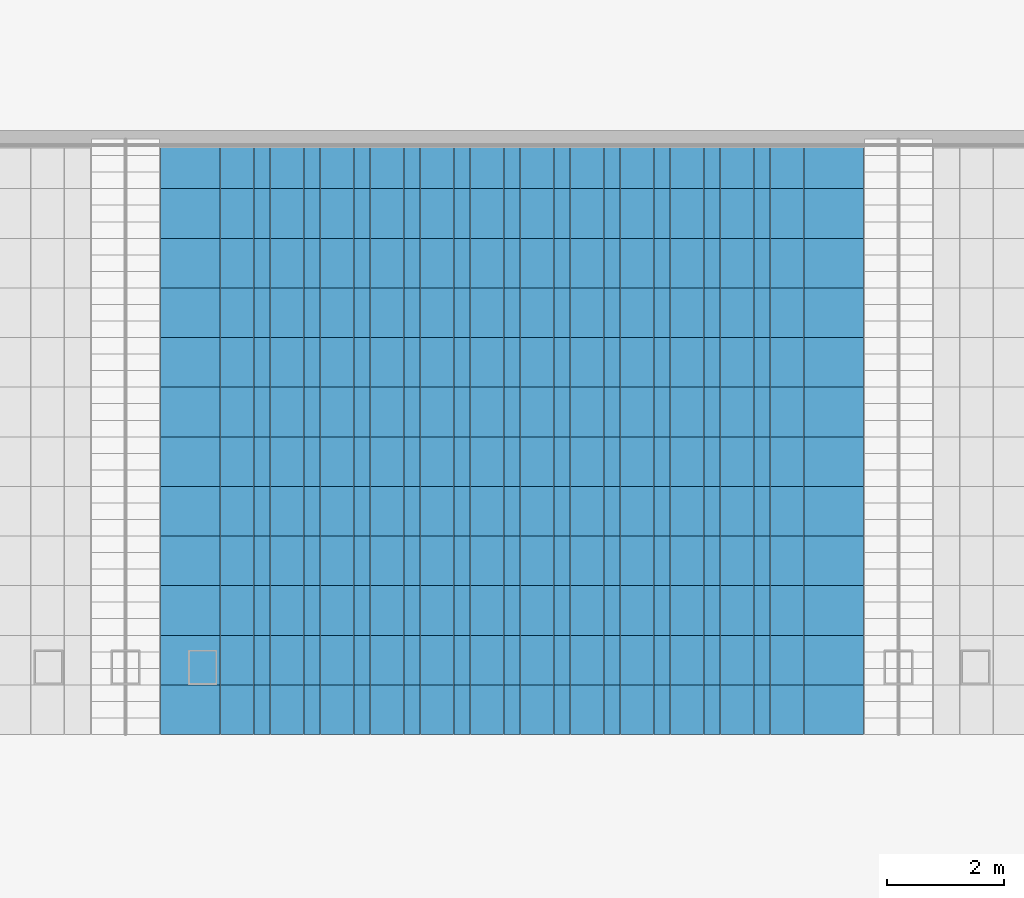
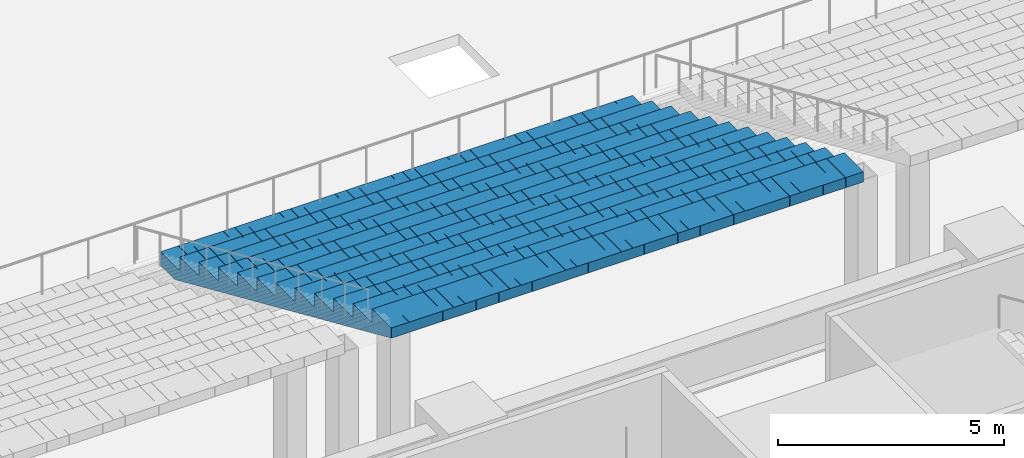
# One storey, part 20 of 62: 1 slab.
"""IFC4 building model written with IfcOpenShell, lengths in metres."""

import ifcopenshell
import ifcopenshell.guid

model = None  # the IFC model being written
_history = None  # IfcOwnerHistory: only IFC2X3 demands one
_inside = {}  # id of a spatial element -> (the spatial element, [elements in it])
_under = {}  # id of a project, library or spatial element -> (it, [spatial elements below it])
_declared = {}  # id of a project -> (the project, [libraries it declares])
_typed = {}  # id of a type object -> (the type object, [elements of that type])
_made_of = {}  # id of a material, layer set ... -> (it, [elements and type objects made of it])


def new_model(schema):
    """Start an empty IFC model of exactly this schema.

    Asked for "IFC4X3", IfcOpenShell would pick the latest addendum, in which some entities
    have other attributes; the version numbers below select the first issue.
    IFC2X3 requires an IfcOwnerHistory on every rooted entity: one is made here for all.
    """
    global model, _history
    if schema == "IFC4X3":
        model = ifcopenshell.file(schema_version=(4, 3, 0, 0))
    else:
        model = ifcopenshell.file(schema=schema)
    _inside.clear()
    _under.clear()
    _declared.clear()
    _typed.clear()
    _made_of.clear()
    _history = None
    if model.schema == "IFC2X3":
        org = make("IfcOrganization", Name="unknown")
        user = make(
            "IfcPersonAndOrganization",
            ThePerson=make("IfcPerson", FamilyName="unknown"),
            TheOrganization=org,
        )
        app = make(
            "IfcApplication",
            ApplicationDeveloper=org,
            Version="unknown",
            ApplicationFullName="unknown",
            ApplicationIdentifier="unknown",
        )
        _history = make(
            "IfcOwnerHistory",
            OwningUser=user,
            OwningApplication=app,
            ChangeAction="ADDED",
            CreationDate=0,
        )
    return model


def make(cls, **values):
    """One entity of the class cls with the attributes given. An attribute that is None is left unset."""
    return model.create_entity(
        cls, **{name: value for name, value in values.items() if value is not None}
    )


def rooted(cls, **values):
    """An entity with a GlobalId (a new one), such as an element, a storey or a relation."""
    return make(cls, GlobalId=ifcopenshell.guid.new(), OwnerHistory=_history, **values)


def si_unit(unit_type, name, prefix=None):
    """IfcSIUnit, for example si_unit("LENGTHUNIT", "METRE", prefix="MILLI")."""
    return make("IfcSIUnit", UnitType=unit_type, Prefix=prefix, Name=name)


def assignment(units):
    """IfcUnitAssignment: the units of a project."""
    return None if units is None else make("IfcUnitAssignment", Units=units)


def point(xyz):
    """IfcCartesianPoint."""
    return None if xyz is None else make("IfcCartesianPoint", Coordinates=xyz)


def direction(xyz):
    """IfcDirection."""
    return None if xyz is None else make("IfcDirection", DirectionRatios=xyz)


def frame(location, z_axis=None, x_axis=None):
    """IfcAxis2Placement3D, a coordinate frame: its origin and axes. An axis left out is left unset."""
    return make(
        "IfcAxis2Placement3D",
        Location=point(location),
        Axis=direction(z_axis),
        RefDirection=direction(x_axis),
    )


def origin():
    """The frame at (0, 0, 0) with its axes left unset."""
    return frame((0.0, 0.0, 0.0))


def place(relative_to, where):
    """IfcLocalPlacement: puts the frame where relative to a parent placement (None: the world)."""
    return make(
        "IfcLocalPlacement", PlacementRelTo=relative_to, RelativePlacement=where
    )


def context(
    kind, dimensions, precision=None, world=None, true_north=None, identifier=None
):
    """IfcGeometricRepresentationContext, for example the 3D "Model" context."""
    return make(
        "IfcGeometricRepresentationContext",
        ContextIdentifier=identifier,
        ContextType=kind,
        CoordinateSpaceDimension=dimensions,
        Precision=precision,
        WorldCoordinateSystem=world,
        TrueNorth=true_north,
    )


def subcontext(parent, identifier, kind, view, scale=None):
    """IfcGeometricRepresentationSubContext, for example "Body" below "Model"."""
    return make(
        "IfcGeometricRepresentationSubContext",
        ContextIdentifier=identifier,
        ContextType=kind,
        ParentContext=parent,
        TargetScale=scale,
        TargetView=view,
    )


def project(units=None, contexts=None):
    """IfcProject with its units and contexts."""
    return rooted(
        "IfcProject",
        Name="project",
        RepresentationContexts=contexts,
        UnitsInContext=assignment(units),
    )


def spatial(cls, under=None, at=None, **own):
    """A site, building, storey or space (cls), placed at a placement, below another one or the project."""
    s = rooted(cls, ObjectPlacement=at, **own)
    if under is not None:
        _under.setdefault(under.id(), (under, []))[1].append(s)
    return s


def polyline(points):
    """IfcPolyline through the points."""
    return make("IfcPolyline", Points=[point(p) for p in points])


def outline(outer, holes=None, kind="AREA"):
    """IfcArbitraryClosedProfileDef: a profile drawn as a closed curve; with holes, ...WithVoids."""
    if holes is None:
        return make("IfcArbitraryClosedProfileDef", ProfileType=kind, OuterCurve=outer)
    return make(
        "IfcArbitraryProfileDefWithVoids",
        ProfileType=kind,
        OuterCurve=outer,
        InnerCurves=holes,
    )


def extrude(swept, where, along, depth):
    """IfcExtrudedAreaSolid: the profile swept, set in the frame where, extruded along a direction by depth."""
    return make(
        "IfcExtrudedAreaSolid",
        SweptArea=swept,
        Position=where,
        ExtrudedDirection=direction(along),
        Depth=depth,
    )


def shape(context_of_items, identifier, shape_type, items):
    """IfcShapeRepresentation: the items that make up one representation, for example the "Body"."""
    return make(
        "IfcShapeRepresentation",
        ContextOfItems=context_of_items,
        RepresentationIdentifier=identifier,
        RepresentationType=shape_type,
        Items=items,
    )


def material(Name=None, Category=None):
    """IfcMaterial."""
    return make("IfcMaterial", Name=Name, Category=Category)


def layer(
    of_material, thickness, ventilated=None, Name=None, Category=None, Priority=None
):
    """IfcMaterialLayer: one layer of a wall or slab, of a material (None: an air gap)."""
    return make(
        "IfcMaterialLayer",
        Material=of_material,
        LayerThickness=thickness,
        IsVentilated=ventilated,
        Name=Name,
        Category=Category,
        Priority=Priority,
    )


def layer_set(layers, Name=None):
    """IfcMaterialLayerSet."""
    return make("IfcMaterialLayerSet", MaterialLayers=layers, LayerSetName=Name)


def made_of(thing, what):
    """Note that an element or type object is made of a material, layer set ...; save() writes the relation."""
    if what is not None:
        _made_of.setdefault(what.id(), (what, []))[1].append(thing)
    return thing


def type_object(cls, material=None, **own):
    """A type object (cls), such as IfcWallType, which elements share."""
    return made_of(rooted(cls, **own), material)


def element(
    cls,
    number,
    at=None,
    inside=None,
    cuts=None,
    type_object=None,
    material=None,
    context=None,
    identifier="Body",
    shape_type=None,
    held_by="IfcProductDefinitionShape",
    body=None,
    shapes=None,
    **own,
):
    """One element of the class cls, such as IfcWall. Its Tag is "e" and its number.

    at: its placement. inside: the storey or other place that contains it. cuts: it is an
    opening in that element (IfcRelVoidsElement). A single representation is given by context,
    identifier, shape_type and body (its items); several are given by shapes. held_by: the class
    of the entity that holds the representations. save() writes the other relations.
    """
    e = rooted(cls, Tag="e%d" % number, ObjectPlacement=at, **own)
    if body is not None:
        shapes = [shape(context, identifier, shape_type, body)]
    if shapes is not None:
        e.Representation = make(held_by, Representations=shapes)
    if inside is not None:
        _inside.setdefault(inside.id(), (inside, []))[1].append(e)
    if cuts is not None:
        rooted(
            "IfcRelVoidsElement", RelatingBuildingElement=cuts, RelatedOpeningElement=e
        )
    if type_object is not None:
        _typed.setdefault(type_object.id(), (type_object, []))[1].append(e)
    return made_of(e, material)


def aggregate(whole, parts):
    """IfcRelAggregates: a whole, such as a stair, and the parts it consists of."""
    return rooted("IfcRelAggregates", RelatingObject=whole, RelatedObjects=parts)


def save(model, path):
    """Write the relations noted so far, then the file.

    IfcRelAggregates (storeys below a building ...), IfcRelContainedInSpatialStructure (elements
    in a storey), IfcRelDefinesByType, IfcRelAssociatesMaterial and IfcRelDeclares: one each for
    every whole, place, type object, material and project.
    """
    for whole, parts in _under.values():
        aggregate(whole, parts)
    for where, things in _inside.values():
        rooted(
            "IfcRelContainedInSpatialStructure",
            RelatedElements=things,
            RelatingStructure=where,
        )
    for kind, things in _typed.values():
        rooted("IfcRelDefinesByType", RelatedObjects=things, RelatingType=kind)
    for what, things in _made_of.values():
        rooted("IfcRelAssociatesMaterial", RelatedObjects=things, RelatingMaterial=what)
    for by, libraries in _declared.values():
        rooted("IfcRelDeclares", RelatingContext=by, RelatedDefinitions=libraries)
    model.write(path)


model = new_model("IFC4")

# Units and contexts
model_context = context("Model", 3, precision=1e-05, world=origin(), true_north=direction((0.0, 1.0)))
body_context = subcontext(model_context, "Body", "Model", "MODEL_VIEW")
ifc_project = project(units=[si_unit("LENGTHUNIT", "METRE"), si_unit("AREAUNIT", "SQUARE_METRE"), si_unit("VOLUMEUNIT", "CUBIC_METRE"), si_unit("PLANEANGLEUNIT", "RADIAN"), si_unit("MASSUNIT", "GRAM", prefix="KILO")], contexts=[model_context])

# Site, building, storey
site_placement = place(None, origin())
site = spatial("IfcSite", under=ifc_project, at=site_placement, CompositionType="ELEMENT")
building_placement = place(site_placement, origin())
building = spatial("IfcBuilding", under=site, at=building_placement, Name="Corbelhall Arena Tower", CompositionType="ELEMENT")
storey_placement = place(building_placement, frame((0.0, 0.0, 12.0)))
storey = spatial("IfcBuildingStorey", under=building, at=storey_placement, Name="L01", CompositionType="ELEMENT", Elevation=12.0)

# Slab
ifc_material = material(Name="Precast concrete C40/50", Category="concrete")
ifc_layer = layer(ifc_material, 0.25)
ifc_layer_set = layer_set([ifc_layer], Name="AR-TIER-RAKED")
slab_type = type_object("IfcSlabType", Name="AR-TIER-RAKED", PredefinedType="FLOOR", material=ifc_layer_set)
slab_placement = place(storey_placement, frame((13.239990234375, -15.14990234375, 2.125), z_axis=(0.0, 0.0, 1.0), x_axis=(0.0, -1.0, 0.0)))
element("IfcSlab", 1, at=slab_placement, inside=storey, type_object=slab_type, Name="Tier section LSB", PredefinedType="FLOOR", context=body_context, shape_type="SweptSolid", body=[
    extrude(outline(polyline([(0.0, 0.0), (0.0, 0.375), (0.85009765625, 0.375), (0.85009765625, 0.75), (1.699951171875, 0.75), (1.699951171875, 1.125), (2.550048828125, 1.125), (2.550048828125, 1.5), (3.39990234375, 1.5), (3.39990234375, 1.875), (4.25, 1.875), (4.25, 2.25), (5.10009765625, 2.25), (5.10009765625, 2.625), (5.949951171875, 2.625), (5.949951171875, 3.0), (6.800048828125, 3.0), (6.800048828125, 3.375), (7.64990234375, 3.375), (7.64990234375, 3.75), (8.5, 3.75), (8.5, 4.125), (9.35009765625, 4.125), (9.35009765625, 4.5), (10.199951171875, 4.5), (10.199951171875, 4.875), (10.199951171875, 4.226806640625), (0.619384765625, 0.0), (0.0, 0.0)])), frame((0.0, 6.02001953125, 0.0), z_axis=(0.0, -1.0, 0.0), x_axis=(1.0, 0.0, 0.0)), (0.0, 0.0, 1.0), 0.449951171875),
    extrude(outline(polyline([(0.0, 0.0), (0.0, 0.375), (0.85009765625, 0.375), (0.85009765625, 0.75), (1.699951171875, 0.75), (1.699951171875, 1.125), (2.550048828125, 1.125), (2.550048828125, 1.5), (3.39990234375, 1.5), (3.39990234375, 1.875), (4.25, 1.875), (4.25, 2.25), (5.10009765625, 2.25), (5.10009765625, 2.625), (5.949951171875, 2.625), (5.949951171875, 3.0), (6.800048828125, 3.0), (6.800048828125, 3.375), (7.64990234375, 3.375), (7.64990234375, 3.75), (8.5, 3.75), (8.5, 4.125), (9.35009765625, 4.125), (9.35009765625, 4.5), (10.199951171875, 4.5), (10.199951171875, 4.875), (10.199951171875, 4.226806640625), (0.619384765625, 0.0), (0.0, 0.0)])), frame((0.0, 5.56591796875, 0.0), z_axis=(0.0, -1.0, 0.0), x_axis=(1.0, 0.0, 0.0)), (0.0, 0.0, 1.0), 0.281494140625),
    extrude(outline(polyline([(0.0, 0.0), (0.0, 0.375), (0.85009765625, 0.375), (0.85009765625, 0.75), (1.699951171875, 0.75), (1.699951171875, 1.125), (2.550048828125, 1.125), (2.550048828125, 1.5), (3.39990234375, 1.5), (3.39990234375, 1.875), (4.25, 1.875), (4.25, 2.25), (5.10009765625, 2.25), (5.10009765625, 2.625), (5.949951171875, 2.625), (5.949951171875, 3.0), (6.800048828125, 3.0), (6.800048828125, 3.375), (7.64990234375, 3.375), (7.64990234375, 3.75), (8.5, 3.75), (8.5, 4.125), (9.35009765625, 4.125), (9.35009765625, 4.5), (10.199951171875, 4.5), (10.199951171875, 4.875), (10.199951171875, 4.226806640625), (0.619384765625, 0.0), (0.0, 0.0)])), frame((0.0, 5.280517578125, 0.0), z_axis=(0.0, -1.0, 0.0), x_axis=(1.0, 0.0, 0.0)), (0.0, 0.0, 1.0), 0.281494140625),
    extrude(outline(polyline([(0.0, 0.0), (0.0, 0.375), (0.85009765625, 0.375), (0.85009765625, 0.75), (1.699951171875, 0.75), (1.699951171875, 1.125), (2.550048828125, 1.125), (2.550048828125, 1.5), (3.39990234375, 1.5), (3.39990234375, 1.875), (4.25, 1.875), (4.25, 2.25), (5.10009765625, 2.25), (5.10009765625, 2.625), (5.949951171875, 2.625), (5.949951171875, 3.0), (6.800048828125, 3.0), (6.800048828125, 3.375), (7.64990234375, 3.375), (7.64990234375, 3.75), (8.5, 3.75), (8.5, 4.125), (9.35009765625, 4.125), (9.35009765625, 4.5), (10.199951171875, 4.5), (10.199951171875, 4.875), (10.199951171875, 4.226806640625), (0.619384765625, 0.0), (0.0, 0.0)])), frame((0.0, 4.994873046875, 0.0), z_axis=(0.0, -1.0, 0.0), x_axis=(1.0, 0.0, 0.0)), (0.0, 0.0, 1.0), 0.281494140625),
    extrude(outline(polyline([(0.0, 0.0), (0.0, 0.375), (0.85009765625, 0.375), (0.85009765625, 0.75), (1.699951171875, 0.75), (1.699951171875, 1.125), (2.550048828125, 1.125), (2.550048828125, 1.5), (3.39990234375, 1.5), (3.39990234375, 1.875), (4.25, 1.875), (4.25, 2.25), (5.10009765625, 2.25), (5.10009765625, 2.625), (5.949951171875, 2.625), (5.949951171875, 3.0), (6.800048828125, 3.0), (6.800048828125, 3.375), (7.64990234375, 3.375), (7.64990234375, 3.75), (8.5, 3.75), (8.5, 4.125), (9.35009765625, 4.125), (9.35009765625, 4.5), (10.199951171875, 4.5), (10.199951171875, 4.875), (10.199951171875, 4.226806640625), (0.619384765625, 0.0), (0.0, 0.0)])), frame((0.0, 4.70947265625, 0.0), z_axis=(0.0, -1.0, 0.0), x_axis=(1.0, 0.0, 0.0)), (0.0, 0.0, 1.0), 0.281494140625),
    extrude(outline(polyline([(0.0, 0.0), (0.0, 0.375), (0.85009765625, 0.375), (0.85009765625, 0.75), (1.699951171875, 0.75), (1.699951171875, 1.125), (2.550048828125, 1.125), (2.550048828125, 1.5), (3.39990234375, 1.5), (3.39990234375, 1.875), (4.25, 1.875), (4.25, 2.25), (5.10009765625, 2.25), (5.10009765625, 2.625), (5.949951171875, 2.625), (5.949951171875, 3.0), (6.800048828125, 3.0), (6.800048828125, 3.375), (7.64990234375, 3.375), (7.64990234375, 3.75), (8.5, 3.75), (8.5, 4.125), (9.35009765625, 4.125), (9.35009765625, 4.5), (10.199951171875, 4.5), (10.199951171875, 4.875), (10.199951171875, 4.226806640625), (0.619384765625, 0.0), (0.0, 0.0)])), frame((0.0, 4.423828125, 0.0), z_axis=(0.0, -1.0, 0.0), x_axis=(1.0, 0.0, 0.0)), (0.0, 0.0, 1.0), 0.281494140625),
    extrude(outline(polyline([(0.0, 0.0), (0.0, 0.375), (0.85009765625, 0.375), (0.85009765625, 0.75), (1.699951171875, 0.75), (1.699951171875, 1.125), (2.550048828125, 1.125), (2.550048828125, 1.5), (3.39990234375, 1.5), (3.39990234375, 1.875), (4.25, 1.875), (4.25, 2.25), (5.10009765625, 2.25), (5.10009765625, 2.625), (5.949951171875, 2.625), (5.949951171875, 3.0), (6.800048828125, 3.0), (6.800048828125, 3.375), (7.64990234375, 3.375), (7.64990234375, 3.75), (8.5, 3.75), (8.5, 4.125), (9.35009765625, 4.125), (9.35009765625, 4.5), (10.199951171875, 4.5), (10.199951171875, 4.875), (10.199951171875, 4.226806640625), (0.619384765625, 0.0), (0.0, 0.0)])), frame((0.0, 4.138427734375, 0.0), z_axis=(0.0, -1.0, 0.0), x_axis=(1.0, 0.0, 0.0)), (0.0, 0.0, 1.0), 0.281494140625),
    extrude(outline(polyline([(0.0, 0.0), (0.0, 0.375), (0.85009765625, 0.375), (0.85009765625, 0.75), (1.699951171875, 0.75), (1.699951171875, 1.125), (2.550048828125, 1.125), (2.550048828125, 1.5), (3.39990234375, 1.5), (3.39990234375, 1.875), (4.25, 1.875), (4.25, 2.25), (5.10009765625, 2.25), (5.10009765625, 2.625), (5.949951171875, 2.625), (5.949951171875, 3.0), (6.800048828125, 3.0), (6.800048828125, 3.375), (7.64990234375, 3.375), (7.64990234375, 3.75), (8.5, 3.75), (8.5, 4.125), (9.35009765625, 4.125), (9.35009765625, 4.5), (10.199951171875, 4.5), (10.199951171875, 4.875), (10.199951171875, 4.226806640625), (0.619384765625, 0.0), (0.0, 0.0)])), frame((0.0, 3.852783203125, 0.0), z_axis=(0.0, -1.0, 0.0), x_axis=(1.0, 0.0, 0.0)), (0.0, 0.0, 1.0), 0.281494140625),
    extrude(outline(polyline([(0.0, 0.0), (0.0, 0.375), (0.85009765625, 0.375), (0.85009765625, 0.75), (1.699951171875, 0.75), (1.699951171875, 1.125), (2.550048828125, 1.125), (2.550048828125, 1.5), (3.39990234375, 1.5), (3.39990234375, 1.875), (4.25, 1.875), (4.25, 2.25), (5.10009765625, 2.25), (5.10009765625, 2.625), (5.949951171875, 2.625), (5.949951171875, 3.0), (6.800048828125, 3.0), (6.800048828125, 3.375), (7.64990234375, 3.375), (7.64990234375, 3.75), (8.5, 3.75), (8.5, 4.125), (9.35009765625, 4.125), (9.35009765625, 4.5), (10.199951171875, 4.5), (10.199951171875, 4.875), (10.199951171875, 4.226806640625), (0.619384765625, 0.0), (0.0, 0.0)])), frame((0.0, 3.567138671875, 0.0), z_axis=(0.0, -1.0, 0.0), x_axis=(1.0, 0.0, 0.0)), (0.0, 0.0, 1.0), 0.281494140625),
    extrude(outline(polyline([(0.0, 0.0), (0.0, 0.375), (0.85009765625, 0.375), (0.85009765625, 0.75), (1.699951171875, 0.75), (1.699951171875, 1.125), (2.550048828125, 1.125), (2.550048828125, 1.5), (3.39990234375, 1.5), (3.39990234375, 1.875), (4.25, 1.875), (4.25, 2.25), (5.10009765625, 2.25), (5.10009765625, 2.625), (5.949951171875, 2.625), (5.949951171875, 3.0), (6.800048828125, 3.0), (6.800048828125, 3.375), (7.64990234375, 3.375), (7.64990234375, 3.75), (8.5, 3.75), (8.5, 4.125), (9.35009765625, 4.125), (9.35009765625, 4.5), (10.199951171875, 4.5), (10.199951171875, 4.875), (10.199951171875, 4.226806640625), (0.619384765625, 0.0), (0.0, 0.0)])), frame((0.0, 3.28173828125, 0.0), z_axis=(0.0, -1.0, 0.0), x_axis=(1.0, 0.0, 0.0)), (0.0, 0.0, 1.0), 0.281494140625),
    extrude(outline(polyline([(0.0, 0.0), (0.0, 0.375), (0.85009765625, 0.375), (0.85009765625, 0.75), (1.699951171875, 0.75), (1.699951171875, 1.125), (2.550048828125, 1.125), (2.550048828125, 1.5), (3.39990234375, 1.5), (3.39990234375, 1.875), (4.25, 1.875), (4.25, 2.25), (5.10009765625, 2.25), (5.10009765625, 2.625), (5.949951171875, 2.625), (5.949951171875, 3.0), (6.800048828125, 3.0), (6.800048828125, 3.375), (7.64990234375, 3.375), (7.64990234375, 3.75), (8.5, 3.75), (8.5, 4.125), (9.35009765625, 4.125), (9.35009765625, 4.5), (10.199951171875, 4.5), (10.199951171875, 4.875), (10.199951171875, 4.226806640625), (0.619384765625, 0.0), (0.0, 0.0)])), frame((0.0, 2.99609375, 0.0), z_axis=(0.0, -1.0, 0.0), x_axis=(1.0, 0.0, 0.0)), (0.0, 0.0, 1.0), 0.281494140625),
    extrude(outline(polyline([(0.0, 0.0), (0.0, 0.375), (0.85009765625, 0.375), (0.85009765625, 0.75), (1.699951171875, 0.75), (1.699951171875, 1.125), (2.550048828125, 1.125), (2.550048828125, 1.5), (3.39990234375, 1.5), (3.39990234375, 1.875), (4.25, 1.875), (4.25, 2.25), (5.10009765625, 2.25), (5.10009765625, 2.625), (5.949951171875, 2.625), (5.949951171875, 3.0), (6.800048828125, 3.0), (6.800048828125, 3.375), (7.64990234375, 3.375), (7.64990234375, 3.75), (8.5, 3.75), (8.5, 4.125), (9.35009765625, 4.125), (9.35009765625, 4.5), (10.199951171875, 4.5), (10.199951171875, 4.875), (10.199951171875, 4.226806640625), (0.619384765625, 0.0), (0.0, 0.0)])), frame((0.0, 2.710693359375, 0.0), z_axis=(0.0, -1.0, 0.0), x_axis=(1.0, 0.0, 0.0)), (0.0, 0.0, 1.0), 0.281494140625),
    extrude(outline(polyline([(0.0, 0.0), (0.0, 0.375), (0.85009765625, 0.375), (0.85009765625, 0.75), (1.699951171875, 0.75), (1.699951171875, 1.125), (2.550048828125, 1.125), (2.550048828125, 1.5), (3.39990234375, 1.5), (3.39990234375, 1.875), (4.25, 1.875), (4.25, 2.25), (5.10009765625, 2.25), (5.10009765625, 2.625), (5.949951171875, 2.625), (5.949951171875, 3.0), (6.800048828125, 3.0), (6.800048828125, 3.375), (7.64990234375, 3.375), (7.64990234375, 3.75), (8.5, 3.75), (8.5, 4.125), (9.35009765625, 4.125), (9.35009765625, 4.5), (10.199951171875, 4.5), (10.199951171875, 4.875), (10.199951171875, 4.226806640625), (0.619384765625, 0.0), (0.0, 0.0)])), frame((0.0, 2.425048828125, 0.0), z_axis=(0.0, -1.0, 0.0), x_axis=(1.0, 0.0, 0.0)), (0.0, 0.0, 1.0), 0.281494140625),
    extrude(outline(polyline([(0.0, 0.0), (0.0, 0.375), (0.85009765625, 0.375), (0.85009765625, 0.75), (1.699951171875, 0.75), (1.699951171875, 1.125), (2.550048828125, 1.125), (2.550048828125, 1.5), (3.39990234375, 1.5), (3.39990234375, 1.875), (4.25, 1.875), (4.25, 2.25), (5.10009765625, 2.25), (5.10009765625, 2.625), (5.949951171875, 2.625), (5.949951171875, 3.0), (6.800048828125, 3.0), (6.800048828125, 3.375), (7.64990234375, 3.375), (7.64990234375, 3.75), (8.5, 3.75), (8.5, 4.125), (9.35009765625, 4.125), (9.35009765625, 4.5), (10.199951171875, 4.5), (10.199951171875, 4.875), (10.199951171875, 4.226806640625), (0.619384765625, 0.0), (0.0, 0.0)])), frame((0.0, 2.1396484375, 0.0), z_axis=(0.0, -1.0, 0.0), x_axis=(1.0, 0.0, 0.0)), (0.0, 0.0, 1.0), 0.281494140625),
    extrude(outline(polyline([(0.0, 0.0), (0.0, 0.375), (0.85009765625, 0.375), (0.85009765625, 0.75), (1.699951171875, 0.75), (1.699951171875, 1.125), (2.550048828125, 1.125), (2.550048828125, 1.5), (3.39990234375, 1.5), (3.39990234375, 1.875), (4.25, 1.875), (4.25, 2.25), (5.10009765625, 2.25), (5.10009765625, 2.625), (5.949951171875, 2.625), (5.949951171875, 3.0), (6.800048828125, 3.0), (6.800048828125, 3.375), (7.64990234375, 3.375), (7.64990234375, 3.75), (8.5, 3.75), (8.5, 4.125), (9.35009765625, 4.125), (9.35009765625, 4.5), (10.199951171875, 4.5), (10.199951171875, 4.875), (10.199951171875, 4.226806640625), (0.619384765625, 0.0), (0.0, 0.0)])), frame((0.0, 1.85400390625, 0.0), z_axis=(0.0, -1.0, 0.0), x_axis=(1.0, 0.0, 0.0)), (0.0, 0.0, 1.0), 0.281494140625),
    extrude(outline(polyline([(0.0, 0.0), (0.0, 0.375), (0.85009765625, 0.375), (0.85009765625, 0.75), (1.699951171875, 0.75), (1.699951171875, 1.125), (2.550048828125, 1.125), (2.550048828125, 1.5), (3.39990234375, 1.5), (3.39990234375, 1.875), (4.25, 1.875), (4.25, 2.25), (5.10009765625, 2.25), (5.10009765625, 2.625), (5.949951171875, 2.625), (5.949951171875, 3.0), (6.800048828125, 3.0), (6.800048828125, 3.375), (7.64990234375, 3.375), (7.64990234375, 3.75), (8.5, 3.75), (8.5, 4.125), (9.35009765625, 4.125), (9.35009765625, 4.5), (10.199951171875, 4.5), (10.199951171875, 4.875), (10.199951171875, 4.226806640625), (0.619384765625, 0.0), (0.0, 0.0)])), frame((0.0, 1.568359375, 0.0), z_axis=(0.0, -1.0, 0.0), x_axis=(1.0, 0.0, 0.0)), (0.0, 0.0, 1.0), 0.281494140625),
    extrude(outline(polyline([(0.0, 0.0), (0.0, 0.375), (0.85009765625, 0.375), (0.85009765625, 0.75), (1.699951171875, 0.75), (1.699951171875, 1.125), (2.550048828125, 1.125), (2.550048828125, 1.5), (3.39990234375, 1.5), (3.39990234375, 1.875), (4.25, 1.875), (4.25, 2.25), (5.10009765625, 2.25), (5.10009765625, 2.625), (5.949951171875, 2.625), (5.949951171875, 3.0), (6.800048828125, 3.0), (6.800048828125, 3.375), (7.64990234375, 3.375), (7.64990234375, 3.75), (8.5, 3.75), (8.5, 4.125), (9.35009765625, 4.125), (9.35009765625, 4.5), (10.199951171875, 4.5), (10.199951171875, 4.875), (10.199951171875, 4.226806640625), (0.619384765625, 0.0), (0.0, 0.0)])), frame((0.0, 1.282958984375, 0.0), z_axis=(0.0, -1.0, 0.0), x_axis=(1.0, 0.0, 0.0)), (0.0, 0.0, 1.0), 0.281494140625),
    extrude(outline(polyline([(0.0, 0.0), (0.0, 0.375), (0.85009765625, 0.375), (0.85009765625, 0.75), (1.699951171875, 0.75), (1.699951171875, 1.125), (2.550048828125, 1.125), (2.550048828125, 1.5), (3.39990234375, 1.5), (3.39990234375, 1.875), (4.25, 1.875), (4.25, 2.25), (5.10009765625, 2.25), (5.10009765625, 2.625), (5.949951171875, 2.625), (5.949951171875, 3.0), (6.800048828125, 3.0), (6.800048828125, 3.375), (7.64990234375, 3.375), (7.64990234375, 3.75), (8.5, 3.75), (8.5, 4.125), (9.35009765625, 4.125), (9.35009765625, 4.5), (10.199951171875, 4.5), (10.199951171875, 4.875), (10.199951171875, 4.226806640625), (0.619384765625, 0.0), (0.0, 0.0)])), frame((0.0, 0.997314453125, 0.0), z_axis=(0.0, -1.0, 0.0), x_axis=(1.0, 0.0, 0.0)), (0.0, 0.0, 1.0), 0.281494140625),
    extrude(outline(polyline([(0.0, 0.0), (0.0, 0.375), (0.85009765625, 0.375), (0.85009765625, 0.75), (1.699951171875, 0.75), (1.699951171875, 1.125), (2.550048828125, 1.125), (2.550048828125, 1.5), (3.39990234375, 1.5), (3.39990234375, 1.875), (4.25, 1.875), (4.25, 2.25), (5.10009765625, 2.25), (5.10009765625, 2.625), (5.949951171875, 2.625), (5.949951171875, 3.0), (6.800048828125, 3.0), (6.800048828125, 3.375), (7.64990234375, 3.375), (7.64990234375, 3.75), (8.5, 3.75), (8.5, 4.125), (9.35009765625, 4.125), (9.35009765625, 4.5), (10.199951171875, 4.5), (10.199951171875, 4.875), (10.199951171875, 4.226806640625), (0.619384765625, 0.0), (0.0, 0.0)])), frame((0.0, 0.7119140625, 0.0), z_axis=(0.0, -1.0, 0.0), x_axis=(1.0, 0.0, 0.0)), (0.0, 0.0, 1.0), 0.281494140625),
    extrude(outline(polyline([(0.0, 0.0), (0.0, 0.375), (0.85009765625, 0.375), (0.85009765625, 0.75), (1.699951171875, 0.75), (1.699951171875, 1.125), (2.550048828125, 1.125), (2.550048828125, 1.5), (3.39990234375, 1.5), (3.39990234375, 1.875), (4.25, 1.875), (4.25, 2.25), (5.10009765625, 2.25), (5.10009765625, 2.625), (5.949951171875, 2.625), (5.949951171875, 3.0), (6.800048828125, 3.0), (6.800048828125, 3.375), (7.64990234375, 3.375), (7.64990234375, 3.75), (8.5, 3.75), (8.5, 4.125), (9.35009765625, 4.125), (9.35009765625, 4.5), (10.199951171875, 4.5), (10.199951171875, 4.875), (10.199951171875, 4.226806640625), (0.619384765625, 0.0), (0.0, 0.0)])), frame((0.0, 0.42626953125, 0.0), z_axis=(0.0, -1.0, 0.0), x_axis=(1.0, 0.0, 0.0)), (0.0, 0.0, 1.0), 0.281494140625),
    extrude(outline(polyline([(0.0, 0.0), (0.0, 0.375), (0.85009765625, 0.375), (0.85009765625, 0.75), (1.699951171875, 0.75), (1.699951171875, 1.125), (2.550048828125, 1.125), (2.550048828125, 1.5), (3.39990234375, 1.5), (3.39990234375, 1.875), (4.25, 1.875), (4.25, 2.25), (5.10009765625, 2.25), (5.10009765625, 2.625), (5.949951171875, 2.625), (5.949951171875, 3.0), (6.800048828125, 3.0), (6.800048828125, 3.375), (7.64990234375, 3.375), (7.64990234375, 3.75), (8.5, 3.75), (8.5, 4.125), (9.35009765625, 4.125), (9.35009765625, 4.5), (10.199951171875, 4.5), (10.199951171875, 4.875), (10.199951171875, 4.226806640625), (0.619384765625, 0.0), (0.0, 0.0)])), frame((0.0, 0.140869140625, 0.0), z_axis=(0.0, -1.0, 0.0), x_axis=(1.0, 0.0, 0.0)), (0.0, 0.0, 1.0), 0.281494140625),
    extrude(outline(polyline([(0.0, 0.0), (0.0, 0.375), (0.85009765625, 0.375), (0.85009765625, 0.75), (1.699951171875, 0.75), (1.699951171875, 1.125), (2.550048828125, 1.125), (2.550048828125, 1.5), (3.39990234375, 1.5), (3.39990234375, 1.875), (4.25, 1.875), (4.25, 2.25), (5.10009765625, 2.25), (5.10009765625, 2.625), (5.949951171875, 2.625), (5.949951171875, 3.0), (6.800048828125, 3.0), (6.800048828125, 3.375), (7.64990234375, 3.375), (7.64990234375, 3.75), (8.5, 3.75), (8.5, 4.125), (9.35009765625, 4.125), (9.35009765625, 4.5), (10.199951171875, 4.5), (10.199951171875, 4.875), (10.199951171875, 4.226806640625), (0.619384765625, 0.0), (0.0, 0.0)])), frame((0.0, -0.144775390625, 0.0), z_axis=(0.0, -1.0, 0.0), x_axis=(1.0, 0.0, 0.0)), (0.0, 0.0, 1.0), 0.281494140625),
    extrude(outline(polyline([(0.0, 0.0), (0.0, 0.375), (0.85009765625, 0.375), (0.85009765625, 0.75), (1.699951171875, 0.75), (1.699951171875, 1.125), (2.550048828125, 1.125), (2.550048828125, 1.5), (3.39990234375, 1.5), (3.39990234375, 1.875), (4.25, 1.875), (4.25, 2.25), (5.10009765625, 2.25), (5.10009765625, 2.625), (5.949951171875, 2.625), (5.949951171875, 3.0), (6.800048828125, 3.0), (6.800048828125, 3.375), (7.64990234375, 3.375), (7.64990234375, 3.75), (8.5, 3.75), (8.5, 4.125), (9.35009765625, 4.125), (9.35009765625, 4.5), (10.199951171875, 4.5), (10.199951171875, 4.875), (10.199951171875, 4.226806640625), (0.619384765625, 0.0), (0.0, 0.0)])), frame((0.0, -0.430419921875, 0.0), z_axis=(0.0, -1.0, 0.0), x_axis=(1.0, 0.0, 0.0)), (0.0, 0.0, 1.0), 0.281494140625),
    extrude(outline(polyline([(0.0, 0.0), (0.0, 0.375), (0.85009765625, 0.375), (0.85009765625, 0.75), (1.699951171875, 0.75), (1.699951171875, 1.125), (2.550048828125, 1.125), (2.550048828125, 1.5), (3.39990234375, 1.5), (3.39990234375, 1.875), (4.25, 1.875), (4.25, 2.25), (5.10009765625, 2.25), (5.10009765625, 2.625), (5.949951171875, 2.625), (5.949951171875, 3.0), (6.800048828125, 3.0), (6.800048828125, 3.375), (7.64990234375, 3.375), (7.64990234375, 3.75), (8.5, 3.75), (8.5, 4.125), (9.35009765625, 4.125), (9.35009765625, 4.5), (10.199951171875, 4.5), (10.199951171875, 4.875), (10.199951171875, 4.226806640625), (0.619384765625, 0.0), (0.0, 0.0)])), frame((0.0, -0.7158203125, 0.0), z_axis=(0.0, -1.0, 0.0), x_axis=(1.0, 0.0, 0.0)), (0.0, 0.0, 1.0), 0.281494140625),
    extrude(outline(polyline([(0.0, 0.0), (0.0, 0.375), (0.85009765625, 0.375), (0.85009765625, 0.75), (1.699951171875, 0.75), (1.699951171875, 1.125), (2.550048828125, 1.125), (2.550048828125, 1.5), (3.39990234375, 1.5), (3.39990234375, 1.875), (4.25, 1.875), (4.25, 2.25), (5.10009765625, 2.25), (5.10009765625, 2.625), (5.949951171875, 2.625), (5.949951171875, 3.0), (6.800048828125, 3.0), (6.800048828125, 3.375), (7.64990234375, 3.375), (7.64990234375, 3.75), (8.5, 3.75), (8.5, 4.125), (9.35009765625, 4.125), (9.35009765625, 4.5), (10.199951171875, 4.5), (10.199951171875, 4.875), (10.199951171875, 4.226806640625), (0.619384765625, 0.0), (0.0, 0.0)])), frame((0.0, -1.00146484375, 0.0), z_axis=(0.0, -1.0, 0.0), x_axis=(1.0, 0.0, 0.0)), (0.0, 0.0, 1.0), 0.281494140625),
    extrude(outline(polyline([(0.0, 0.0), (0.0, 0.375), (0.85009765625, 0.375), (0.85009765625, 0.75), (1.699951171875, 0.75), (1.699951171875, 1.125), (2.550048828125, 1.125), (2.550048828125, 1.5), (3.39990234375, 1.5), (3.39990234375, 1.875), (4.25, 1.875), (4.25, 2.25), (5.10009765625, 2.25), (5.10009765625, 2.625), (5.949951171875, 2.625), (5.949951171875, 3.0), (6.800048828125, 3.0), (6.800048828125, 3.375), (7.64990234375, 3.375), (7.64990234375, 3.75), (8.5, 3.75), (8.5, 4.125), (9.35009765625, 4.125), (9.35009765625, 4.5), (10.199951171875, 4.5), (10.199951171875, 4.875), (10.199951171875, 4.226806640625), (0.619384765625, 0.0), (0.0, 0.0)])), frame((0.0, -1.286865234375, 0.0), z_axis=(0.0, -1.0, 0.0), x_axis=(1.0, 0.0, 0.0)), (0.0, 0.0, 1.0), 0.281494140625),
    extrude(outline(polyline([(0.0, 0.0), (0.0, 0.375), (0.85009765625, 0.375), (0.85009765625, 0.75), (1.699951171875, 0.75), (1.699951171875, 1.125), (2.550048828125, 1.125), (2.550048828125, 1.5), (3.39990234375, 1.5), (3.39990234375, 1.875), (4.25, 1.875), (4.25, 2.25), (5.10009765625, 2.25), (5.10009765625, 2.625), (5.949951171875, 2.625), (5.949951171875, 3.0), (6.800048828125, 3.0), (6.800048828125, 3.375), (7.64990234375, 3.375), (7.64990234375, 3.75), (8.5, 3.75), (8.5, 4.125), (9.35009765625, 4.125), (9.35009765625, 4.5), (10.199951171875, 4.5), (10.199951171875, 4.875), (10.199951171875, 4.226806640625), (0.619384765625, 0.0), (0.0, 0.0)])), frame((0.0, -1.572509765625, 0.0), z_axis=(0.0, -1.0, 0.0), x_axis=(1.0, 0.0, 0.0)), (0.0, 0.0, 1.0), 0.281494140625),
    extrude(outline(polyline([(0.0, 0.0), (0.0, 0.375), (0.85009765625, 0.375), (0.85009765625, 0.75), (1.699951171875, 0.75), (1.699951171875, 1.125), (2.550048828125, 1.125), (2.550048828125, 1.5), (3.39990234375, 1.5), (3.39990234375, 1.875), (4.25, 1.875), (4.25, 2.25), (5.10009765625, 2.25), (5.10009765625, 2.625), (5.949951171875, 2.625), (5.949951171875, 3.0), (6.800048828125, 3.0), (6.800048828125, 3.375), (7.64990234375, 3.375), (7.64990234375, 3.75), (8.5, 3.75), (8.5, 4.125), (9.35009765625, 4.125), (9.35009765625, 4.5), (10.199951171875, 4.5), (10.199951171875, 4.875), (10.199951171875, 4.226806640625), (0.619384765625, 0.0), (0.0, 0.0)])), frame((0.0, -1.85791015625, 0.0), z_axis=(0.0, -1.0, 0.0), x_axis=(1.0, 0.0, 0.0)), (0.0, 0.0, 1.0), 0.281494140625),
    extrude(outline(polyline([(0.0, 0.0), (0.0, 0.375), (0.85009765625, 0.375), (0.85009765625, 0.75), (1.699951171875, 0.75), (1.699951171875, 1.125), (2.550048828125, 1.125), (2.550048828125, 1.5), (3.39990234375, 1.5), (3.39990234375, 1.875), (4.25, 1.875), (4.25, 2.25), (5.10009765625, 2.25), (5.10009765625, 2.625), (5.949951171875, 2.625), (5.949951171875, 3.0), (6.800048828125, 3.0), (6.800048828125, 3.375), (7.64990234375, 3.375), (7.64990234375, 3.75), (8.5, 3.75), (8.5, 4.125), (9.35009765625, 4.125), (9.35009765625, 4.5), (10.199951171875, 4.5), (10.199951171875, 4.875), (10.199951171875, 4.226806640625), (0.619384765625, 0.0), (0.0, 0.0)])), frame((0.0, -2.1435546875, 0.0), z_axis=(0.0, -1.0, 0.0), x_axis=(1.0, 0.0, 0.0)), (0.0, 0.0, 1.0), 0.281494140625),
    extrude(outline(polyline([(0.0, 0.0), (0.0, 0.375), (0.85009765625, 0.375), (0.85009765625, 0.75), (1.699951171875, 0.75), (1.699951171875, 1.125), (2.550048828125, 1.125), (2.550048828125, 1.5), (3.39990234375, 1.5), (3.39990234375, 1.875), (4.25, 1.875), (4.25, 2.25), (5.10009765625, 2.25), (5.10009765625, 2.625), (5.949951171875, 2.625), (5.949951171875, 3.0), (6.800048828125, 3.0), (6.800048828125, 3.375), (7.64990234375, 3.375), (7.64990234375, 3.75), (8.5, 3.75), (8.5, 4.125), (9.35009765625, 4.125), (9.35009765625, 4.5), (10.199951171875, 4.5), (10.199951171875, 4.875), (10.199951171875, 4.226806640625), (0.619384765625, 0.0), (0.0, 0.0)])), frame((0.0, -2.42919921875, 0.0), z_axis=(0.0, -1.0, 0.0), x_axis=(1.0, 0.0, 0.0)), (0.0, 0.0, 1.0), 0.281494140625),
    extrude(outline(polyline([(0.0, 0.0), (0.0, 0.375), (0.85009765625, 0.375), (0.85009765625, 0.75), (1.699951171875, 0.75), (1.699951171875, 1.125), (2.550048828125, 1.125), (2.550048828125, 1.5), (3.39990234375, 1.5), (3.39990234375, 1.875), (4.25, 1.875), (4.25, 2.25), (5.10009765625, 2.25), (5.10009765625, 2.625), (5.949951171875, 2.625), (5.949951171875, 3.0), (6.800048828125, 3.0), (6.800048828125, 3.375), (7.64990234375, 3.375), (7.64990234375, 3.75), (8.5, 3.75), (8.5, 4.125), (9.35009765625, 4.125), (9.35009765625, 4.5), (10.199951171875, 4.5), (10.199951171875, 4.875), (10.199951171875, 4.226806640625), (0.619384765625, 0.0), (0.0, 0.0)])), frame((0.0, -2.714599609375, 0.0), z_axis=(0.0, -1.0, 0.0), x_axis=(1.0, 0.0, 0.0)), (0.0, 0.0, 1.0), 0.281494140625),
    extrude(outline(polyline([(0.0, 0.0), (0.0, 0.375), (0.85009765625, 0.375), (0.85009765625, 0.75), (1.699951171875, 0.75), (1.699951171875, 1.125), (2.550048828125, 1.125), (2.550048828125, 1.5), (3.39990234375, 1.5), (3.39990234375, 1.875), (4.25, 1.875), (4.25, 2.25), (5.10009765625, 2.25), (5.10009765625, 2.625), (5.949951171875, 2.625), (5.949951171875, 3.0), (6.800048828125, 3.0), (6.800048828125, 3.375), (7.64990234375, 3.375), (7.64990234375, 3.75), (8.5, 3.75), (8.5, 4.125), (9.35009765625, 4.125), (9.35009765625, 4.5), (10.199951171875, 4.5), (10.199951171875, 4.875), (10.199951171875, 4.226806640625), (0.619384765625, 0.0), (0.0, 0.0)])), frame((0.0, -3.000244140625, 0.0), z_axis=(0.0, -1.0, 0.0), x_axis=(1.0, 0.0, 0.0)), (0.0, 0.0, 1.0), 0.281494140625),
    extrude(outline(polyline([(0.0, 0.0), (0.0, 0.375), (0.85009765625, 0.375), (0.85009765625, 0.75), (1.699951171875, 0.75), (1.699951171875, 1.125), (2.550048828125, 1.125), (2.550048828125, 1.5), (3.39990234375, 1.5), (3.39990234375, 1.875), (4.25, 1.875), (4.25, 2.25), (5.10009765625, 2.25), (5.10009765625, 2.625), (5.949951171875, 2.625), (5.949951171875, 3.0), (6.800048828125, 3.0), (6.800048828125, 3.375), (7.64990234375, 3.375), (7.64990234375, 3.75), (8.5, 3.75), (8.5, 4.125), (9.35009765625, 4.125), (9.35009765625, 4.5), (10.199951171875, 4.5), (10.199951171875, 4.875), (10.199951171875, 4.226806640625), (0.619384765625, 0.0), (0.0, 0.0)])), frame((0.0, -3.28564453125, 0.0), z_axis=(0.0, -1.0, 0.0), x_axis=(1.0, 0.0, 0.0)), (0.0, 0.0, 1.0), 0.281494140625),
    extrude(outline(polyline([(0.0, 0.0), (0.0, 0.375), (0.85009765625, 0.375), (0.85009765625, 0.75), (1.699951171875, 0.75), (1.699951171875, 1.125), (2.550048828125, 1.125), (2.550048828125, 1.5), (3.39990234375, 1.5), (3.39990234375, 1.875), (4.25, 1.875), (4.25, 2.25), (5.10009765625, 2.25), (5.10009765625, 2.625), (5.949951171875, 2.625), (5.949951171875, 3.0), (6.800048828125, 3.0), (6.800048828125, 3.375), (7.64990234375, 3.375), (7.64990234375, 3.75), (8.5, 3.75), (8.5, 4.125), (9.35009765625, 4.125), (9.35009765625, 4.5), (10.199951171875, 4.5), (10.199951171875, 4.875), (10.199951171875, 4.226806640625), (0.619384765625, 0.0), (0.0, 0.0)])), frame((0.0, -3.5712890625, 0.0), z_axis=(0.0, -1.0, 0.0), x_axis=(1.0, 0.0, 0.0)), (0.0, 0.0, 1.0), 0.281494140625),
    extrude(outline(polyline([(0.0, 0.0), (0.0, 0.375), (0.85009765625, 0.375), (0.85009765625, 0.75), (1.699951171875, 0.75), (1.699951171875, 1.125), (2.550048828125, 1.125), (2.550048828125, 1.5), (3.39990234375, 1.5), (3.39990234375, 1.875), (4.25, 1.875), (4.25, 2.25), (5.10009765625, 2.25), (5.10009765625, 2.625), (5.949951171875, 2.625), (5.949951171875, 3.0), (6.800048828125, 3.0), (6.800048828125, 3.375), (7.64990234375, 3.375), (7.64990234375, 3.75), (8.5, 3.75), (8.5, 4.125), (9.35009765625, 4.125), (9.35009765625, 4.5), (10.199951171875, 4.5), (10.199951171875, 4.875), (10.199951171875, 4.226806640625), (0.619384765625, 0.0), (0.0, 0.0)])), frame((0.0, -3.856689453125, 0.0), z_axis=(0.0, -1.0, 0.0), x_axis=(1.0, 0.0, 0.0)), (0.0, 0.0, 1.0), 0.281494140625),
    extrude(outline(polyline([(0.0, 0.0), (0.0, 0.375), (0.85009765625, 0.375), (0.85009765625, 0.75), (1.699951171875, 0.75), (1.699951171875, 1.125), (2.550048828125, 1.125), (2.550048828125, 1.5), (3.39990234375, 1.5), (3.39990234375, 1.875), (4.25, 1.875), (4.25, 2.25), (5.10009765625, 2.25), (5.10009765625, 2.625), (5.949951171875, 2.625), (5.949951171875, 3.0), (6.800048828125, 3.0), (6.800048828125, 3.375), (7.64990234375, 3.375), (7.64990234375, 3.75), (8.5, 3.75), (8.5, 4.125), (9.35009765625, 4.125), (9.35009765625, 4.5), (10.199951171875, 4.5), (10.199951171875, 4.875), (10.199951171875, 4.226806640625), (0.619384765625, 0.0), (0.0, 0.0)])), frame((0.0, -4.142333984375, 0.0), z_axis=(0.0, -1.0, 0.0), x_axis=(1.0, 0.0, 0.0)), (0.0, 0.0, 1.0), 0.281494140625),
    extrude(outline(polyline([(0.0, 0.0), (0.0, 0.375), (0.85009765625, 0.375), (0.85009765625, 0.75), (1.699951171875, 0.75), (1.699951171875, 1.125), (2.550048828125, 1.125), (2.550048828125, 1.5), (3.39990234375, 1.5), (3.39990234375, 1.875), (4.25, 1.875), (4.25, 2.25), (5.10009765625, 2.25), (5.10009765625, 2.625), (5.949951171875, 2.625), (5.949951171875, 3.0), (6.800048828125, 3.0), (6.800048828125, 3.375), (7.64990234375, 3.375), (7.64990234375, 3.75), (8.5, 3.75), (8.5, 4.125), (9.35009765625, 4.125), (9.35009765625, 4.5), (10.199951171875, 4.5), (10.199951171875, 4.875), (10.199951171875, 4.226806640625), (0.619384765625, 0.0), (0.0, 0.0)])), frame((0.0, -4.427978515625, 0.0), z_axis=(0.0, -1.0, 0.0), x_axis=(1.0, 0.0, 0.0)), (0.0, 0.0, 1.0), 0.281494140625),
    extrude(outline(polyline([(0.0, 0.0), (0.0, 0.375), (0.85009765625, 0.375), (0.85009765625, 0.75), (1.699951171875, 0.75), (1.699951171875, 1.125), (2.550048828125, 1.125), (2.550048828125, 1.5), (3.39990234375, 1.5), (3.39990234375, 1.875), (4.25, 1.875), (4.25, 2.25), (5.10009765625, 2.25), (5.10009765625, 2.625), (5.949951171875, 2.625), (5.949951171875, 3.0), (6.800048828125, 3.0), (6.800048828125, 3.375), (7.64990234375, 3.375), (7.64990234375, 3.75), (8.5, 3.75), (8.5, 4.125), (9.35009765625, 4.125), (9.35009765625, 4.5), (10.199951171875, 4.5), (10.199951171875, 4.875), (10.199951171875, 4.226806640625), (0.619384765625, 0.0), (0.0, 0.0)])), frame((0.0, -4.71337890625, 0.0), z_axis=(0.0, -1.0, 0.0), x_axis=(1.0, 0.0, 0.0)), (0.0, 0.0, 1.0), 0.281494140625),
    extrude(outline(polyline([(0.0, 0.0), (0.0, 0.375), (0.85009765625, 0.375), (0.85009765625, 0.75), (1.699951171875, 0.75), (1.699951171875, 1.125), (2.550048828125, 1.125), (2.550048828125, 1.5), (3.39990234375, 1.5), (3.39990234375, 1.875), (4.25, 1.875), (4.25, 2.25), (5.10009765625, 2.25), (5.10009765625, 2.625), (5.949951171875, 2.625), (5.949951171875, 3.0), (6.800048828125, 3.0), (6.800048828125, 3.375), (7.64990234375, 3.375), (7.64990234375, 3.75), (8.5, 3.75), (8.5, 4.125), (9.35009765625, 4.125), (9.35009765625, 4.5), (10.199951171875, 4.5), (10.199951171875, 4.875), (10.199951171875, 4.226806640625), (0.619384765625, 0.0), (0.0, 0.0)])), frame((0.0, -4.9990234375, 0.0), z_axis=(0.0, -1.0, 0.0), x_axis=(1.0, 0.0, 0.0)), (0.0, 0.0, 1.0), 0.281494140625),
    extrude(outline(polyline([(0.0, 0.0), (0.0, 0.375), (0.85009765625, 0.375), (0.85009765625, 0.75), (1.699951171875, 0.75), (1.699951171875, 1.125), (2.550048828125, 1.125), (2.550048828125, 1.5), (3.39990234375, 1.5), (3.39990234375, 1.875), (4.25, 1.875), (4.25, 2.25), (5.10009765625, 2.25), (5.10009765625, 2.625), (5.949951171875, 2.625), (5.949951171875, 3.0), (6.800048828125, 3.0), (6.800048828125, 3.375), (7.64990234375, 3.375), (7.64990234375, 3.75), (8.5, 3.75), (8.5, 4.125), (9.35009765625, 4.125), (9.35009765625, 4.5), (10.199951171875, 4.5), (10.199951171875, 4.875), (10.199951171875, 4.226806640625), (0.619384765625, 0.0), (0.0, 0.0)])), frame((0.0, -5.284423828125, 0.0), z_axis=(0.0, -1.0, 0.0), x_axis=(1.0, 0.0, 0.0)), (0.0, 0.0, 1.0), 0.281494140625),
    extrude(outline(polyline([(0.0, 0.0), (0.0, 0.375), (0.85009765625, 0.375), (0.85009765625, 0.75), (1.699951171875, 0.75), (1.699951171875, 1.125), (2.550048828125, 1.125), (2.550048828125, 1.5), (3.39990234375, 1.5), (3.39990234375, 1.875), (4.25, 1.875), (4.25, 2.25), (5.10009765625, 2.25), (5.10009765625, 2.625), (5.949951171875, 2.625), (5.949951171875, 3.0), (6.800048828125, 3.0), (6.800048828125, 3.375), (7.64990234375, 3.375), (7.64990234375, 3.75), (8.5, 3.75), (8.5, 4.125), (9.35009765625, 4.125), (9.35009765625, 4.5), (10.199951171875, 4.5), (10.199951171875, 4.875), (10.199951171875, 4.226806640625), (0.619384765625, 0.0), (0.0, 0.0)])), frame((0.0, -5.570068359375, 0.0), z_axis=(0.0, -1.0, 0.0), x_axis=(1.0, 0.0, 0.0)), (0.0, 0.0, 1.0), 0.449951171875),
])

save(model, "model.ifc")
